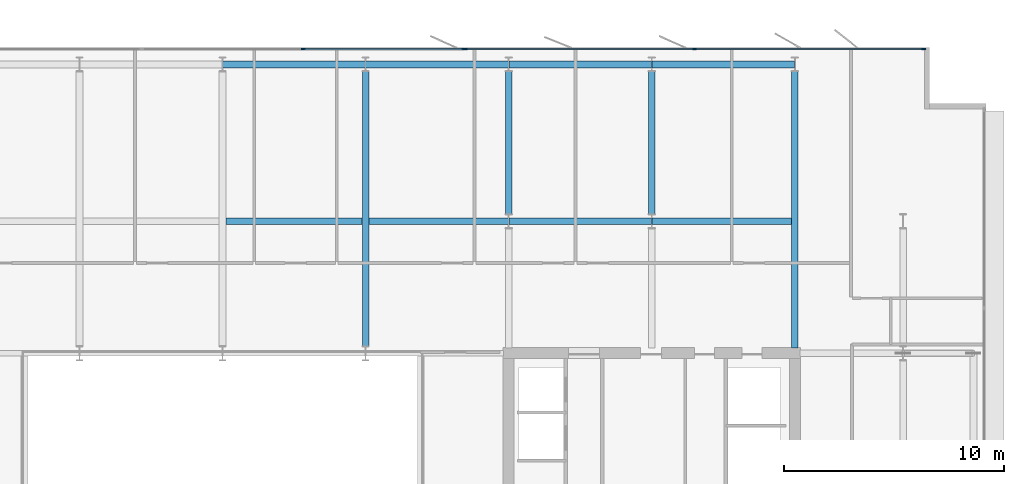
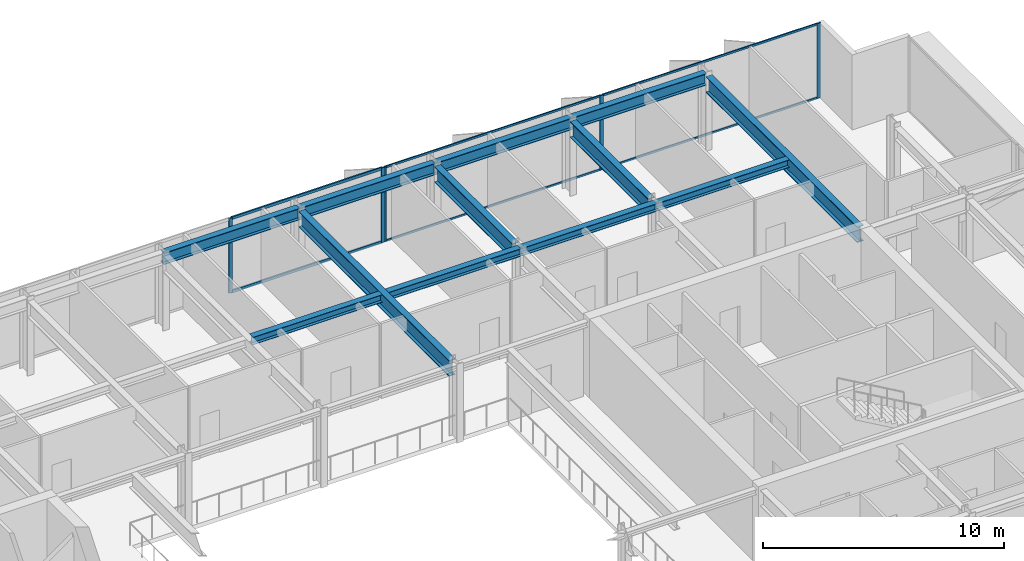
# One storey, part 9 of 20: 12 beams, 11 members, 2 elements without a shape of their own.
"""IFC4 building model written with IfcOpenShell, lengths in metres."""

from ifc_helpers import new_model, si_unit, direction, frame, origin, origin_2d, place, context, subcontext, project, spatial, rectangle, i_section, extrude, material, layer, layer_set, material_profile, profile_set, type_object, element, aggregate, save


model = new_model("IFC4")

# Units and contexts
model_context = context("Model", 3, precision=1e-05, world=origin(), true_north=direction((0.0, 1.0)))
body_context = subcontext(model_context, "Body", "Model", "MODEL_VIEW")
ifc_project = project(units=[si_unit("LENGTHUNIT", "METRE"), si_unit("AREAUNIT", "SQUARE_METRE"), si_unit("VOLUMEUNIT", "CUBIC_METRE"), si_unit("PLANEANGLEUNIT", "RADIAN"), si_unit("MASSUNIT", "GRAM", prefix="KILO")], contexts=[model_context])

# Site, building, storey
site_placement = place(None, origin())
site = spatial("IfcSite", under=ifc_project, at=site_placement, CompositionType="ELEMENT")
building_placement = place(site_placement, origin())
building = spatial("IfcBuilding", under=site, at=building_placement, Name="Putna Gate Headquarters", CompositionType="ELEMENT")
storey_placement = place(building_placement, frame((0.0, 0.0, 294.39990234375)))
storey = spatial("IfcBuildingStorey", under=building, at=storey_placement, Name="L74", CompositionType="ELEMENT", Elevation=294.39990234375)

# Beams
ifc_material_1 = material(Name="Steel S355J2", Category="steel")
ifc_material_profile_1 = material_profile(ifc_material_1, i_section(OverallWidth=0.300048828125, OverallDepth=0.800048828125, WebThickness=0.017578125, FlangeThickness=0.032958984375, at=origin_2d()), Name="Steel S355J2")
ifc_profile_set_1 = profile_set([ifc_material_profile_1], Name="Steel S355J2")
beam_type_1 = type_object("IfcBeamType", Name="BM-GIRD-P-HEB800", PredefinedType="USERDEFINED", material=ifc_profile_set_1)
beam_1_placement = place(storey_placement, frame((45.5, 33.322021484375, 3.38818359375), z_axis=(0.0, 1.0, 0.0), x_axis=(-1.0, 0.0, 0.0)))
element("IfcBeam", 1, at=beam_1_placement, inside=storey, type_object=beam_type_1, Name="L74 North Primary Girder X45", ObjectType="GIRDER", PredefinedType="USERDEFINED", context=body_context, shape_type="SweptSolid", body=[
    extrude(i_section(OverallWidth=0.300048828125, OverallDepth=0.800048828125, WebThickness=0.017578125, FlangeThickness=0.032958984375, at=origin_2d()), origin(), (0.0, 0.0, 1.0), 12.47607421875),
])
for number, where, z_axis, x_axis, name in (
    (2, (52.0, 39.322021484375, 3.38818359375), (0.0, 1.0, 0.0), (-1.0, 0.0, 0.0), "L74 North Primary Girder X52-2"),
    (3, (58.5, 39.322021484375, 3.38818359375), (0.0, 1.0, 0.0), (-1.0, 0.0, 0.0), "L74 North Primary Girder X58-2"),
):
    element("IfcBeam", number, at=place(storey_placement, frame(where, z_axis=z_axis, x_axis=x_axis)), inside=storey, type_object=beam_type_1, Name=name, ObjectType="GIRDER", PredefinedType="USERDEFINED", context=body_context, shape_type="SweptSolid", body=[
        extrude(i_section(OverallWidth=0.300048828125, OverallDepth=0.800048828125, WebThickness=0.017578125, FlangeThickness=0.032958984375, at=origin_2d()), origin(), (0.0, 0.0, 1.0), 6.47607421875),
    ])
beam_2_placement = place(storey_placement, frame((65.0, 33.235107421875, 3.38818359375), z_axis=(0.0, 1.0, 0.0), x_axis=(-1.0, 0.0, 0.0)))
element("IfcBeam", 4, at=beam_2_placement, inside=storey, type_object=beam_type_1, Name="L74 North Primary Girder X65", ObjectType="GIRDER", PredefinedType="USERDEFINED", context=body_context, shape_type="SweptSolid", body=[
    extrude(i_section(OverallWidth=0.300048828125, OverallDepth=0.800048828125, WebThickness=0.017578125, FlangeThickness=0.032958984375, at=origin_2d()), origin(), (0.0, 0.0, 1.0), 12.56298828125),
])
ifc_material_profile_2 = material_profile(ifc_material_1, i_section(OverallWidth=0.300048828125, OverallDepth=0.389892578125, WebThickness=0.010986328125, FlangeThickness=0.01904296875, at=origin_2d()), Name="Steel S355J2")
ifc_profile_set_2 = profile_set([ifc_material_profile_2], Name="Steel S355J2")
beam_type_2 = type_object("IfcBeamType", Name="BM-SEC-Z5-HEA400", PredefinedType="BEAM", material=ifc_profile_set_2)
beam_3_placement = place(storey_placement, frame((39.154052734375, 39.0, 3.593017578125), z_axis=(1.0, 0.0, 0.0), x_axis=(0.0, 1.0, 0.0)))
element("IfcBeam", 5, at=beam_3_placement, inside=storey, type_object=beam_type_2, Name="L74 North Secondary Beam 5", PredefinedType="BEAM", context=body_context, shape_type="SweptSolid", body=[
    extrude(i_section(OverallWidth=0.300048828125, OverallDepth=0.389892578125, WebThickness=0.010986328125, FlangeThickness=0.01904296875, at=origin_2d()), origin(), (0.0, 0.0, 1.0), 6.19189453125),
])
beam_4_placement = place(storey_placement, frame((45.654052734375, 39.0, 3.593017578125), z_axis=(1.0, 0.0, 0.0), x_axis=(0.0, 1.0, 0.0)))
element("IfcBeam", 6, at=beam_4_placement, inside=storey, type_object=beam_type_2, Name="L74 North Secondary Beam 6", PredefinedType="BEAM", context=body_context, shape_type="SweptSolid", body=[
    extrude(i_section(OverallWidth=0.300048828125, OverallDepth=0.389892578125, WebThickness=0.010986328125, FlangeThickness=0.01904296875, at=origin_2d()), origin(), (0.0, 0.0, 1.0), 6.33984375),
])
beam_5_placement = place(storey_placement, frame((52.006103515625, 39.0, 3.593017578125), z_axis=(1.0, 0.0, 0.0), x_axis=(0.0, 1.0, 0.0)))
element("IfcBeam", 7, at=beam_5_placement, inside=storey, type_object=beam_type_2, Name="L74 North Secondary Beam 7", PredefinedType="BEAM", context=body_context, shape_type="SweptSolid", body=[
    extrude(i_section(OverallWidth=0.300048828125, OverallDepth=0.389892578125, WebThickness=0.010986328125, FlangeThickness=0.01904296875, at=origin_2d()), origin(), (0.0, 0.0, 1.0), 6.48779296875),
])
beam_6_placement = place(storey_placement, frame((58.506103515625, 39.0, 3.593017578125), z_axis=(1.0, 0.0, 0.0), x_axis=(0.0, 1.0, 0.0)))
element("IfcBeam", 8, at=beam_6_placement, inside=storey, type_object=beam_type_2, Name="L74 North Secondary Beam 8", PredefinedType="BEAM", context=body_context, shape_type="SweptSolid", body=[
    extrude(i_section(OverallWidth=0.300048828125, OverallDepth=0.389892578125, WebThickness=0.010986328125, FlangeThickness=0.01904296875, at=origin_2d()), origin(), (0.0, 0.0, 1.0), 6.33984375),
])
ifc_material_profile_3 = material_profile(ifc_material_1, i_section(OverallWidth=0.300048828125, OverallDepth=0.590087890625, WebThickness=0.012939453125, FlangeThickness=0.02490234375, at=origin_2d()), Name="Steel S355J2")
ifc_profile_set_3 = profile_set([ifc_material_profile_3], Name="Steel S355J2")
beam_type_3 = type_object("IfcBeamType", Name="BM-SPAN-Z4-HEA600", PredefinedType="SPANDREL", material=ifc_profile_set_3)
for number, where, z_axis, x_axis, name in (
    (9, (39.006103515625, 46.1201171875, 3.4931640625), (1.0, 0.0, 0.0), (0.0, 1.0, 0.0), "L74 N Perimeter Spandrel 5"),
    (10, (45.506103515625, 46.1201171875, 3.4931640625), (1.0, 0.0, 0.0), (0.0, 1.0, 0.0), "L74 N Perimeter Spandrel 6"),
    (11, (52.006103515625, 46.1201171875, 3.4931640625), (1.0, 0.0, 0.0), (0.0, 1.0, 0.0), "L74 N Perimeter Spandrel 7"),
    (12, (58.506103515625, 46.1201171875, 3.4931640625), (1.0, 0.0, 0.0), (0.0, 1.0, 0.0), "L74 N Perimeter Spandrel 8"),
):
    element("IfcBeam", number, at=place(storey_placement, frame(where, z_axis=z_axis, x_axis=x_axis)), inside=storey, type_object=beam_type_3, Name=name, PredefinedType="SPANDREL", context=body_context, shape_type="SweptSolid", body=[
        extrude(i_section(OverallWidth=0.300048828125, OverallDepth=0.590087890625, WebThickness=0.012939453125, FlangeThickness=0.02490234375, at=origin_2d()), origin(), (0.0, 0.0, 1.0), 6.48779296875),
    ])

# Curtain wall, members
ifc_material_2 = material(Name="Anodised bronze aluminium curtain wall", Category="aluminium")
ifc_layer_1 = layer(ifc_material_2, 0.179931640625)
ifc_layer_set_1 = layer_set([ifc_layer_1], Name="Anodised bronze aluminium curtain wall")
curtain_wall_type_1 = type_object("IfcCurtainWallType", Name="CW-SYS-Z5", PredefinedType="USERDEFINED", material=ifc_layer_set_1)
curtain_wall_1_placement = place(storey_placement, origin())
curtain_wall_1 = element("IfcCurtainWall", 13, at=curtain_wall_1_placement, inside=storey, type_object=curtain_wall_type_1, Name="L74 North East Curtain Wall", ObjectType="STICK CURTAIN WALL", PredefinedType="USERDEFINED")
ifc_material_3 = material(Name="Anodised bronze aluminium EN AW-6060", Category="aluminium")
ifc_material_profile_4 = material_profile(ifc_material_3, rectangle(XDim=0.070068359375, YDim=0.179931640625, at=origin_2d()), Name="Anodised bronze aluminium EN AW-6060")
ifc_profile_set_4 = profile_set([ifc_material_profile_4], Name="Anodised bronze aluminium EN AW-6060")
member_type_1 = type_object("IfcMemberType", Name="MULL-CWM-5", PredefinedType="MULLION", material=ifc_profile_set_4)
member_1_placement = place(storey_placement, frame((50.034912109375, 46.820068359375, 0.0), z_axis=(0.0, 0.0, 1.0), x_axis=(0.0, 1.0, 0.0)))
member_1 = element("IfcMember", 14, at=member_1_placement, type_object=member_type_1, Name="CWS-5 mullion 1", PredefinedType="MULLION", context=body_context, shape_type="SweptSolid", body=[
    extrude(rectangle(XDim=0.070068359375, YDim=0.179931640625, at=origin_2d()), origin(), (0.0, 0.0, 1.0), 3.7880859375),
])
member_2_placement = place(storey_placement, frame((60.4423828125, 46.820068359375, 0.0), z_axis=(0.0, 0.0, 1.0), x_axis=(0.0, 1.0, 0.0)))
member_2 = element("IfcMember", 15, at=member_2_placement, type_object=member_type_1, Name="CWS-5 mullion 2", PredefinedType="MULLION", context=body_context, shape_type="SweptSolid", body=[
    extrude(rectangle(XDim=0.070068359375, YDim=0.179931640625, at=origin_2d()), origin(), (0.0, 0.0, 1.0), 3.7880859375),
])
member_3_placement = place(storey_placement, frame((70.85009765625, 46.820068359375, 0.0), z_axis=(0.0, 0.0, 1.0), x_axis=(0.0, 1.0, 0.0)))
member_3 = element("IfcMember", 16, at=member_3_placement, type_object=member_type_1, Name="CWS-5 mullion 3", PredefinedType="MULLION", context=body_context, shape_type="SweptSolid", body=[
    extrude(rectangle(XDim=0.070068359375, YDim=0.179931640625, at=origin_2d()), origin(), (0.0, 0.0, 1.0), 3.7880859375),
])

ifc_layer_2 = layer(ifc_material_2, 0.179931640625)
ifc_layer_set_2 = layer_set([ifc_layer_2], Name="Anodised bronze aluminium curtain wall")
curtain_wall_type_2 = type_object("IfcCurtainWallType", Name="CW-SYS-ATR", PredefinedType="USERDEFINED", material=ifc_layer_set_2)
curtain_wall_2_placement = place(storey_placement, origin())
curtain_wall_2 = element("IfcCurtainWall", 17, at=curtain_wall_2_placement, inside=storey, type_object=curtain_wall_type_2, Name="L74 North Atrium Clear Glazing", ObjectType="ATRIUM GLAZING", PredefinedType="USERDEFINED")
ifc_material_profile_5 = material_profile(ifc_material_3, rectangle(XDim=0.070068359375, YDim=0.179931640625, at=origin_2d()), Name="Anodised bronze aluminium EN AW-6060")
ifc_profile_set_5 = profile_set([ifc_material_profile_5], Name="Anodised bronze aluminium EN AW-6060")
member_type_2 = type_object("IfcMemberType", Name="MULL-CWM-AT", PredefinedType="MULLION", material=ifc_profile_set_5)
member_4_placement = place(storey_placement, frame((42.666748046875, 46.820068359375, 0.0), z_axis=(0.0, 0.0, 1.0), x_axis=(0.0, 1.0, 0.0)))
member_4 = element("IfcMember", 18, at=member_4_placement, type_object=member_type_2, Name="CWS-AT mullion 3", PredefinedType="MULLION", context=body_context, shape_type="SweptSolid", body=[
    extrude(rectangle(XDim=0.070068359375, YDim=0.179931640625, at=origin_2d()), origin(), (0.0, 0.0, 1.0), 3.7880859375),
])
member_5_placement = place(storey_placement, frame((49.965087890625, 46.820068359375, 0.0), z_axis=(0.0, 0.0, 1.0), x_axis=(0.0, 1.0, 0.0)))
member_5 = element("IfcMember", 19, at=member_5_placement, type_object=member_type_2, Name="CWS-AT mullion 4", PredefinedType="MULLION", context=body_context, shape_type="SweptSolid", body=[
    extrude(rectangle(XDim=0.070068359375, YDim=0.179931640625, at=origin_2d()), origin(), (0.0, 0.0, 1.0), 3.7880859375),
])

# Member
ifc_material_profile_6 = material_profile(ifc_material_3, rectangle(XDim=0.06005859375, YDim=0.10009765625, at=origin_2d()), Name="Anodised bronze aluminium EN AW-6060")
ifc_profile_set_6 = profile_set([ifc_material_profile_6], Name="Anodised bronze aluminium EN AW-6060")
member_type_3 = type_object("IfcMemberType", Name="TRAN-CWT-5", PredefinedType="USERDEFINED", material=ifc_profile_set_6)
member_6_placement = place(storey_placement, frame((50.070068359375, 46.820068359375, 0.030029296875), z_axis=(1.0, 0.0, 0.0), x_axis=(0.0, 1.0, 0.0)))
member_6 = element("IfcMember", 20, at=member_6_placement, type_object=member_type_3, Name="CWS-5 transom 1.1", ObjectType="TRANSOM", PredefinedType="USERDEFINED", context=body_context, shape_type="SweptSolid", body=[
    extrude(rectangle(XDim=0.06005859375, YDim=0.10009765625, at=origin_2d()), origin(), (0.0, 0.0, 1.0), 10.33740234375),
])

member_7_placement = place(storey_placement, frame((50.070068359375, 46.820068359375, 3.758056640625), z_axis=(1.0, 0.0, 0.0), x_axis=(0.0, 1.0, 0.0)))
member_7 = element("IfcMember", 21, at=member_7_placement, type_object=member_type_3, Name="CWS-5 transom 1.2", ObjectType="TRANSOM", PredefinedType="USERDEFINED", context=body_context, shape_type="SweptSolid", body=[
    extrude(rectangle(XDim=0.06005859375, YDim=0.10009765625, at=origin_2d()), origin(), (0.0, 0.0, 1.0), 10.33740234375),
])

member_8_placement = place(storey_placement, frame((60.4775390625, 46.820068359375, 0.030029296875), z_axis=(1.0, 0.0, 0.0), x_axis=(0.0, 1.0, 0.0)))
member_8 = element("IfcMember", 22, at=member_8_placement, type_object=member_type_3, Name="CWS-5 transom 2.1", ObjectType="TRANSOM", PredefinedType="USERDEFINED", context=body_context, shape_type="SweptSolid", body=[
    extrude(rectangle(XDim=0.06005859375, YDim=0.10009765625, at=origin_2d()), origin(), (0.0, 0.0, 1.0), 10.33740234375),
])

member_9_placement = place(storey_placement, frame((60.4775390625, 46.820068359375, 3.758056640625), z_axis=(1.0, 0.0, 0.0), x_axis=(0.0, 1.0, 0.0)))
member_9 = element("IfcMember", 23, at=member_9_placement, type_object=member_type_3, Name="CWS-5 transom 2.2", ObjectType="TRANSOM", PredefinedType="USERDEFINED", context=body_context, shape_type="SweptSolid", body=[
    extrude(rectangle(XDim=0.06005859375, YDim=0.10009765625, at=origin_2d()), origin(), (0.0, 0.0, 1.0), 10.33740234375),
])

aggregate(curtain_wall_1, [member_1, member_2, member_3, member_6, member_7, member_8, member_9])

ifc_material_profile_7 = material_profile(ifc_material_3, rectangle(XDim=0.070068359375, YDim=0.139892578125, at=origin_2d()), Name="Anodised bronze aluminium EN AW-6060")
ifc_profile_set_7 = profile_set([ifc_material_profile_7], Name="Anodised bronze aluminium EN AW-6060")
member_type_4 = type_object("IfcMemberType", Name="TRAN-CWT-AT", PredefinedType="USERDEFINED", material=ifc_profile_set_7)
member_10_placement = place(storey_placement, frame((42.70166015625, 46.820068359375, 0.03515625), z_axis=(1.0, 0.0, 0.0), x_axis=(0.0, 1.0, 0.0)))
member_10 = element("IfcMember", 24, at=member_10_placement, type_object=member_type_4, Name="CWS-AT transom 3.1", ObjectType="TRANSOM", PredefinedType="USERDEFINED", context=body_context, shape_type="SweptSolid", body=[
    extrude(rectangle(XDim=0.070068359375, YDim=0.139892578125, at=origin_2d()), origin(), (0.0, 0.0, 1.0), 7.228271484375),
])

member_11_placement = place(storey_placement, frame((42.70166015625, 46.820068359375, 3.753173828125), z_axis=(1.0, 0.0, 0.0), x_axis=(0.0, 1.0, 0.0)))
member_11 = element("IfcMember", 25, at=member_11_placement, type_object=member_type_4, Name="CWS-AT transom 3.2", ObjectType="TRANSOM", PredefinedType="USERDEFINED", context=body_context, shape_type="SweptSolid", body=[
    extrude(rectangle(XDim=0.070068359375, YDim=0.139892578125, at=origin_2d()), origin(), (0.0, 0.0, 1.0), 7.228271484375),
])

aggregate(curtain_wall_2, [member_4, member_5, member_10, member_11])

save(model, "model.ifc")
